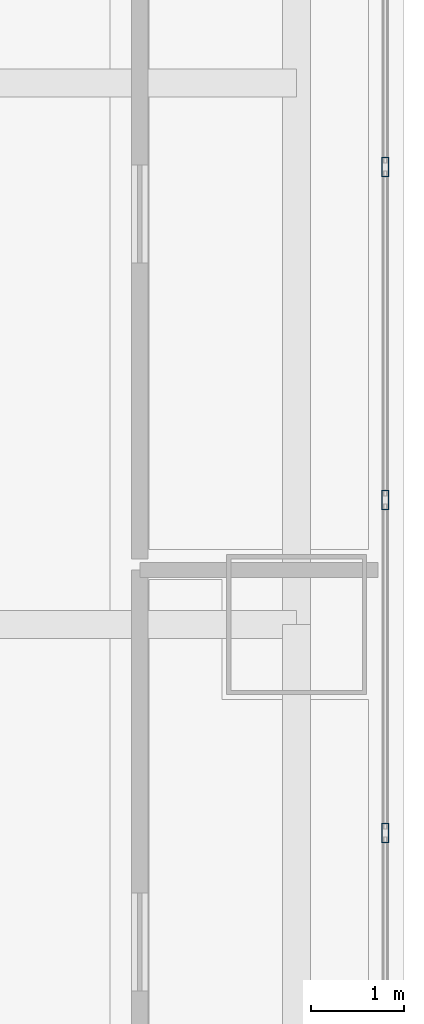
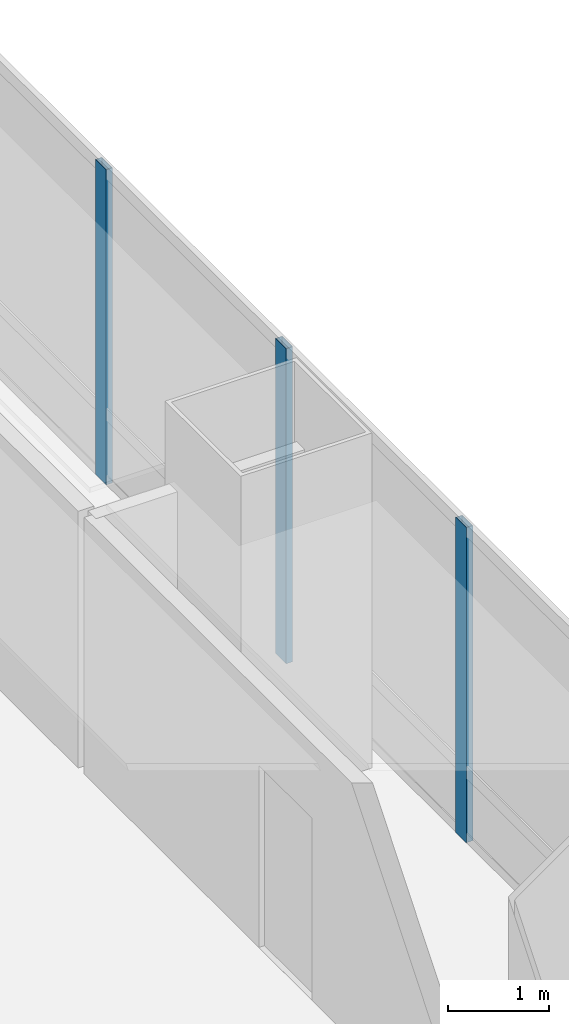
# One storey, part 17 of 36: 3 members, 1 element without a shape of its own.
"""IFC4 building model written with IfcOpenShell, lengths in metres."""

from ifc_helpers import new_model, si_unit, direction, frame, origin, origin_2d, place, context, subcontext, project, spatial, hollow_rectangle, extrude, material, material_profile, profile_set, type_object, element, aggregate, save


model = new_model("IFC4")

# Units and contexts
model_context = context("Model", 3, precision=1e-05, world=origin(), true_north=direction((0.0, 1.0)))
body_context = subcontext(model_context, "Body", "Model", "MODEL_VIEW")
ifc_project = project(units=[si_unit("LENGTHUNIT", "METRE"), si_unit("AREAUNIT", "SQUARE_METRE"), si_unit("VOLUMEUNIT", "CUBIC_METRE"), si_unit("PLANEANGLEUNIT", "RADIAN"), si_unit("MASSUNIT", "GRAM", prefix="KILO")], contexts=[model_context])

# Site, building, storey
site_placement = place(None, origin())
site = spatial("IfcSite", under=ifc_project, at=site_placement, CompositionType="ELEMENT")
building_placement = place(site_placement, origin())
building = spatial("IfcBuilding", under=site, at=building_placement, Name="Punatoya Terracotta Tower", CompositionType="ELEMENT")
storey_placement = place(building_placement, frame((0.0, 0.0, 40.35009765625)))
storey = spatial("IfcBuildingStorey", under=building, at=storey_placement, Name="L08", CompositionType="ELEMENT", Elevation=40.35009765625)

# Curtain wall, members
ifc_material_1 = material(Name="Aluminium 6063-T6 + Double Low-E Glass", Category="aluminium")
curtain_wall_type = type_object("IfcCurtainWallType", Name="CW-M1", PredefinedType="NOTDEFINED", material=ifc_material_1)
curtain_wall_placement = place(storey_placement, origin())
curtain_wall = element("IfcCurtainWall", 1, at=curtain_wall_placement, inside=storey, type_object=curtain_wall_type, Name="L08 Curtain Wall CW-L08-E05-1", PredefinedType="NOTDEFINED")
ifc_material_2 = material(Name="Aluminium 6063-T6", Category="aluminium")
ifc_material_profile = material_profile(ifc_material_2, hollow_rectangle(XDim=0.074951171875, YDim=0.2099609375, WallThickness=0.00439453125, at=origin_2d()))
ifc_profile_set = profile_set([ifc_material_profile], Name="Aluminium 6063-T6")
member_type = type_object("IfcMemberType", Name="CW-MUL-M1", PredefinedType="MULLION", material=ifc_profile_set)
member_1_placement = place(storey_placement, frame((20.050048828125, 1.16748046875, 0.0), z_axis=(0.0, 0.0, 1.0), x_axis=(1.0, 0.0, 0.0)))
member_1 = element("IfcMember", 2, at=member_1_placement, type_object=member_type, Name="CW-L08-E05-1 Mullion 06", PredefinedType="MULLION", context=body_context, shape_type="SweptSolid", body=[
    extrude(hollow_rectangle(XDim=0.074951171875, YDim=0.2099609375, WallThickness=0.00439453125, at=origin_2d()), origin(), (0.0, 0.0, 1.0), 3.809814453125),
])
member_2_placement = place(storey_placement, frame((20.050048828125, 4.73486328125, 0.0), z_axis=(0.0, 0.0, 1.0), x_axis=(1.0, 0.0, 0.0)))
member_2 = element("IfcMember", 3, at=member_2_placement, type_object=member_type, Name="CW-L08-E05-1 Mullion 07", PredefinedType="MULLION", context=body_context, shape_type="SweptSolid", body=[
    extrude(hollow_rectangle(XDim=0.074951171875, YDim=0.2099609375, WallThickness=0.00439453125, at=origin_2d()), origin(), (0.0, 0.0, 1.0), 3.809814453125),
])
member_3_placement = place(storey_placement, frame((20.050048828125, 8.302001953125, 0.0), z_axis=(0.0, 0.0, 1.0), x_axis=(1.0, 0.0, 0.0)))
member_3 = element("IfcMember", 4, at=member_3_placement, type_object=member_type, Name="CW-L08-E05-1 Mullion 08", PredefinedType="MULLION", context=body_context, shape_type="SweptSolid", body=[
    extrude(hollow_rectangle(XDim=0.074951171875, YDim=0.2099609375, WallThickness=0.00439453125, at=origin_2d()), origin(), (0.0, 0.0, 1.0), 3.809814453125),
])
aggregate(curtain_wall, [member_1, member_2, member_3])

save(model, "model.ifc")
